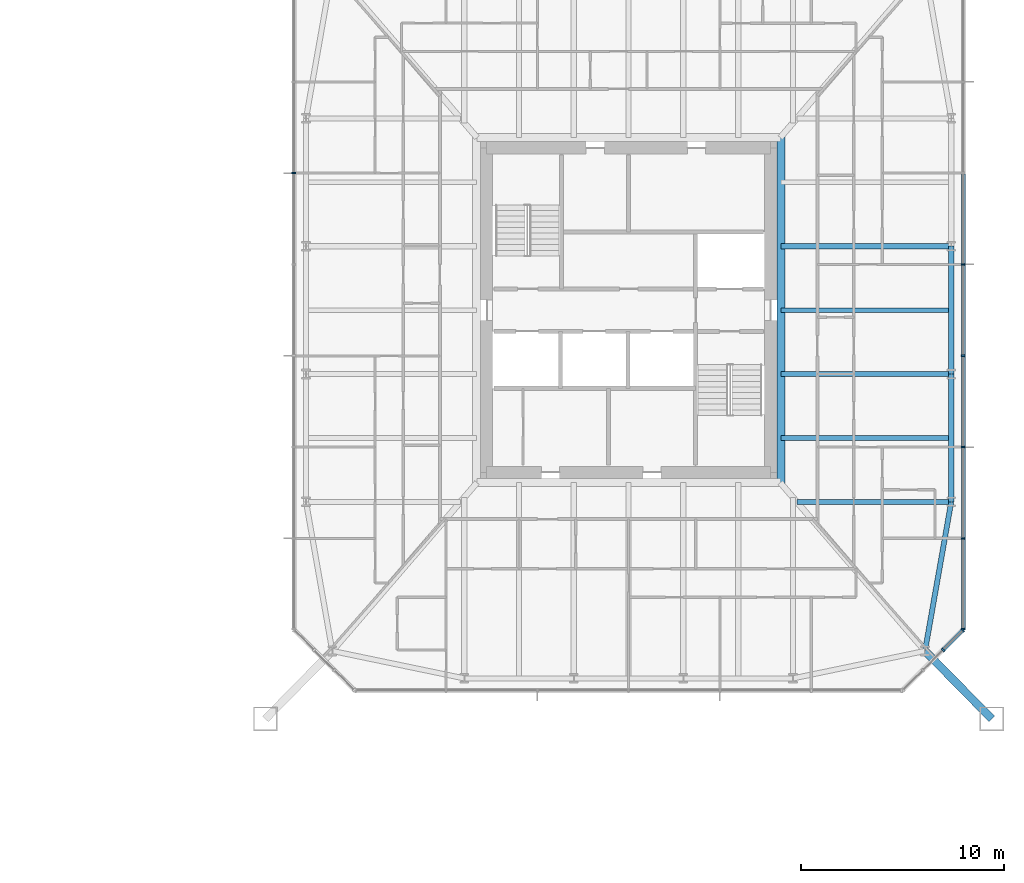
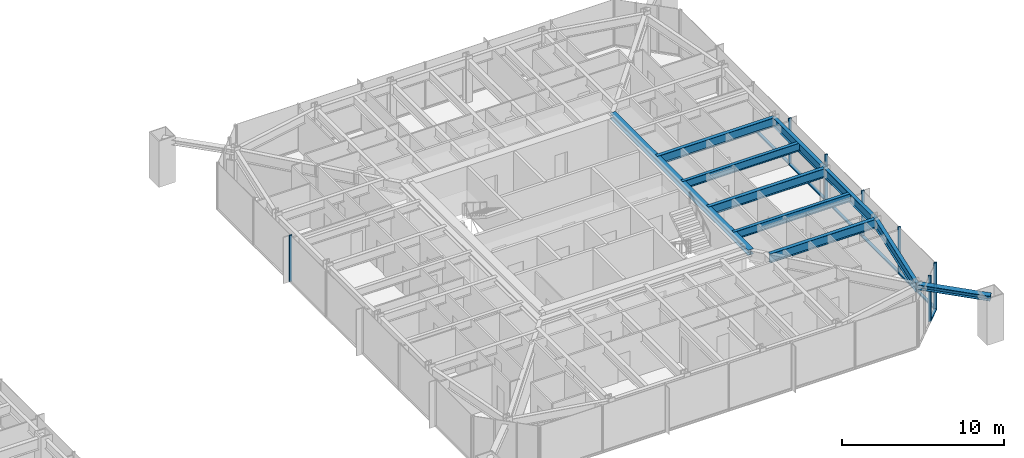
# One storey, part 9 of 26: 15 members, 9 beams, 3 elements without a shape of their own.
"""IFC4 building model written with IfcOpenShell, lengths in metres."""

import ifcopenshell
import ifcopenshell.guid

model = None  # the IFC model being written
_history = None  # IfcOwnerHistory: only IFC2X3 demands one
_inside = {}  # id of a spatial element -> (the spatial element, [elements in it])
_under = {}  # id of a project, library or spatial element -> (it, [spatial elements below it])
_declared = {}  # id of a project -> (the project, [libraries it declares])
_typed = {}  # id of a type object -> (the type object, [elements of that type])
_made_of = {}  # id of a material, layer set ... -> (it, [elements and type objects made of it])


def new_model(schema):
    """Start an empty IFC model of exactly this schema.

    Asked for "IFC4X3", IfcOpenShell would pick the latest addendum, in which some entities
    have other attributes; the version numbers below select the first issue.
    IFC2X3 requires an IfcOwnerHistory on every rooted entity: one is made here for all.
    """
    global model, _history
    if schema == "IFC4X3":
        model = ifcopenshell.file(schema_version=(4, 3, 0, 0))
    else:
        model = ifcopenshell.file(schema=schema)
    _inside.clear()
    _under.clear()
    _declared.clear()
    _typed.clear()
    _made_of.clear()
    _history = None
    if model.schema == "IFC2X3":
        org = make("IfcOrganization", Name="unknown")
        user = make(
            "IfcPersonAndOrganization",
            ThePerson=make("IfcPerson", FamilyName="unknown"),
            TheOrganization=org,
        )
        app = make(
            "IfcApplication",
            ApplicationDeveloper=org,
            Version="unknown",
            ApplicationFullName="unknown",
            ApplicationIdentifier="unknown",
        )
        _history = make(
            "IfcOwnerHistory",
            OwningUser=user,
            OwningApplication=app,
            ChangeAction="ADDED",
            CreationDate=0,
        )
    return model


def make(cls, **values):
    """One entity of the class cls with the attributes given. An attribute that is None is left unset."""
    return model.create_entity(
        cls, **{name: value for name, value in values.items() if value is not None}
    )


def rooted(cls, **values):
    """An entity with a GlobalId (a new one), such as an element, a storey or a relation."""
    return make(cls, GlobalId=ifcopenshell.guid.new(), OwnerHistory=_history, **values)


def si_unit(unit_type, name, prefix=None):
    """IfcSIUnit, for example si_unit("LENGTHUNIT", "METRE", prefix="MILLI")."""
    return make("IfcSIUnit", UnitType=unit_type, Prefix=prefix, Name=name)


def assignment(units):
    """IfcUnitAssignment: the units of a project."""
    return None if units is None else make("IfcUnitAssignment", Units=units)


def point(xyz):
    """IfcCartesianPoint."""
    return None if xyz is None else make("IfcCartesianPoint", Coordinates=xyz)


def direction(xyz):
    """IfcDirection."""
    return None if xyz is None else make("IfcDirection", DirectionRatios=xyz)


def frame(location, z_axis=None, x_axis=None):
    """IfcAxis2Placement3D, a coordinate frame: its origin and axes. An axis left out is left unset."""
    return make(
        "IfcAxis2Placement3D",
        Location=point(location),
        Axis=direction(z_axis),
        RefDirection=direction(x_axis),
    )


def frame_2d(location, x_axis=None):
    """IfcAxis2Placement2D, a coordinate frame in the plane: its origin and x axis."""
    return make(
        "IfcAxis2Placement2D", Location=point(location), RefDirection=direction(x_axis)
    )


def origin():
    """The frame at (0, 0, 0) with its axes left unset."""
    return frame((0.0, 0.0, 0.0))


def origin_2d():
    """The frame at (0, 0) in the plane with its x axis left unset."""
    return frame_2d((0.0, 0.0))


def place(relative_to, where):
    """IfcLocalPlacement: puts the frame where relative to a parent placement (None: the world)."""
    return make(
        "IfcLocalPlacement", PlacementRelTo=relative_to, RelativePlacement=where
    )


def context(
    kind, dimensions, precision=None, world=None, true_north=None, identifier=None
):
    """IfcGeometricRepresentationContext, for example the 3D "Model" context."""
    return make(
        "IfcGeometricRepresentationContext",
        ContextIdentifier=identifier,
        ContextType=kind,
        CoordinateSpaceDimension=dimensions,
        Precision=precision,
        WorldCoordinateSystem=world,
        TrueNorth=true_north,
    )


def subcontext(parent, identifier, kind, view, scale=None):
    """IfcGeometricRepresentationSubContext, for example "Body" below "Model"."""
    return make(
        "IfcGeometricRepresentationSubContext",
        ContextIdentifier=identifier,
        ContextType=kind,
        ParentContext=parent,
        TargetScale=scale,
        TargetView=view,
    )


def project(units=None, contexts=None):
    """IfcProject with its units and contexts."""
    return rooted(
        "IfcProject",
        Name="project",
        RepresentationContexts=contexts,
        UnitsInContext=assignment(units),
    )


def spatial(cls, under=None, at=None, **own):
    """A site, building, storey or space (cls), placed at a placement, below another one or the project."""
    s = rooted(cls, ObjectPlacement=at, **own)
    if under is not None:
        _under.setdefault(under.id(), (under, []))[1].append(s)
    return s


def profile(cls, at=None, kind="AREA", **sizes):
    """A parametric profile (cls). Its sizes go by their IFC names, for example OverallWidth=200.0."""
    return make(cls, ProfileType=kind, Position=at, **sizes)


def rectangle(**sizes):
    """IfcRectangleProfileDef."""
    return profile("IfcRectangleProfileDef", **sizes)


def i_section(**sizes):
    """IfcIShapeProfileDef."""
    return profile("IfcIShapeProfileDef", **sizes)


def extrude(swept, where, along, depth):
    """IfcExtrudedAreaSolid: the profile swept, set in the frame where, extruded along a direction by depth."""
    return make(
        "IfcExtrudedAreaSolid",
        SweptArea=swept,
        Position=where,
        ExtrudedDirection=direction(along),
        Depth=depth,
    )


def shape(context_of_items, identifier, shape_type, items):
    """IfcShapeRepresentation: the items that make up one representation, for example the "Body"."""
    return make(
        "IfcShapeRepresentation",
        ContextOfItems=context_of_items,
        RepresentationIdentifier=identifier,
        RepresentationType=shape_type,
        Items=items,
    )


def material(Name=None, Category=None):
    """IfcMaterial."""
    return make("IfcMaterial", Name=Name, Category=Category)


def material_profile(
    of_material, cross_section, Name=None, Category=None, Priority=None
):
    """IfcMaterialProfile: a cross section and its material."""
    return make(
        "IfcMaterialProfile",
        Name=Name,
        Material=of_material,
        Profile=cross_section,
        Priority=Priority,
        Category=Category,
    )


def profile_set(profiles, Name=None, composite=None):
    """IfcMaterialProfileSet."""
    return make(
        "IfcMaterialProfileSet",
        Name=Name,
        MaterialProfiles=profiles,
        CompositeProfile=composite,
    )


def made_of(thing, what):
    """Note that an element or type object is made of a material, layer set ...; save() writes the relation."""
    if what is not None:
        _made_of.setdefault(what.id(), (what, []))[1].append(thing)
    return thing


def type_object(cls, material=None, **own):
    """A type object (cls), such as IfcWallType, which elements share."""
    return made_of(rooted(cls, **own), material)


def element(
    cls,
    number,
    at=None,
    inside=None,
    cuts=None,
    type_object=None,
    material=None,
    context=None,
    identifier="Body",
    shape_type=None,
    held_by="IfcProductDefinitionShape",
    body=None,
    shapes=None,
    **own,
):
    """One element of the class cls, such as IfcWall. Its Tag is "e" and its number.

    at: its placement. inside: the storey or other place that contains it. cuts: it is an
    opening in that element (IfcRelVoidsElement). A single representation is given by context,
    identifier, shape_type and body (its items); several are given by shapes. held_by: the class
    of the entity that holds the representations. save() writes the other relations.
    """
    e = rooted(cls, Tag="e%d" % number, ObjectPlacement=at, **own)
    if body is not None:
        shapes = [shape(context, identifier, shape_type, body)]
    if shapes is not None:
        e.Representation = make(held_by, Representations=shapes)
    if inside is not None:
        _inside.setdefault(inside.id(), (inside, []))[1].append(e)
    if cuts is not None:
        rooted(
            "IfcRelVoidsElement", RelatingBuildingElement=cuts, RelatedOpeningElement=e
        )
    if type_object is not None:
        _typed.setdefault(type_object.id(), (type_object, []))[1].append(e)
    return made_of(e, material)


def aggregate(whole, parts):
    """IfcRelAggregates: a whole, such as a stair, and the parts it consists of."""
    return rooted("IfcRelAggregates", RelatingObject=whole, RelatedObjects=parts)


def save(model, path):
    """Write the relations noted so far, then the file.

    IfcRelAggregates (storeys below a building ...), IfcRelContainedInSpatialStructure (elements
    in a storey), IfcRelDefinesByType, IfcRelAssociatesMaterial and IfcRelDeclares: one each for
    every whole, place, type object, material and project.
    """
    for whole, parts in _under.values():
        aggregate(whole, parts)
    for where, things in _inside.values():
        rooted(
            "IfcRelContainedInSpatialStructure",
            RelatedElements=things,
            RelatingStructure=where,
        )
    for kind, things in _typed.values():
        rooted("IfcRelDefinesByType", RelatedObjects=things, RelatingType=kind)
    for what, things in _made_of.values():
        rooted("IfcRelAssociatesMaterial", RelatedObjects=things, RelatingMaterial=what)
    for by, libraries in _declared.values():
        rooted("IfcRelDeclares", RelatingContext=by, RelatedDefinitions=libraries)
    model.write(path)


model = new_model("IFC4")

# Units and contexts
model_context = context("Model", 3, precision=1e-05, world=origin(), true_north=direction((0.0, 1.0)))
body_context = subcontext(model_context, "Body", "Model", "MODEL_VIEW")
ifc_project = project(units=[si_unit("LENGTHUNIT", "METRE"), si_unit("AREAUNIT", "SQUARE_METRE"), si_unit("VOLUMEUNIT", "CUBIC_METRE"), si_unit("PLANEANGLEUNIT", "RADIAN"), si_unit("MASSUNIT", "GRAM", prefix="KILO")], contexts=[model_context])

# Site, building, storey
site_placement = place(None, origin())
site = spatial("IfcSite", under=ifc_project, at=site_placement, CompositionType="ELEMENT")
building_placement = place(site_placement, origin())
building = spatial("IfcBuilding", under=site, at=building_placement, Name="Iwan Alto Co-Living Towers", CompositionType="ELEMENT")
storey_placement = place(building_placement, frame((0.0, 0.0, 39.5)))
storey = spatial("IfcBuildingStorey", under=building, at=storey_placement, Name="L10", CompositionType="ELEMENT", Elevation=39.5)

# Curtain wall, members
ifc_material_1 = material(Name="Bronze aluminium unitised frame", Category="aluminium")
curtain_wall_type_1 = type_object("IfcCurtainWallType", Name="CURTAIN WALL CW-C", PredefinedType="NOTDEFINED", material=ifc_material_1)
curtain_wall_1_placement = place(storey_placement, origin())
curtain_wall_1 = element("IfcCurtainWall", 1, at=curtain_wall_1_placement, inside=storey, type_object=curtain_wall_type_1, Name="T2 curtain wall E L10", PredefinedType="NOTDEFINED")
ifc_material_2 = material(Name="Aluminium 6063-T6 bronze anodised", Category="aluminium")
ifc_material_profile_1 = material_profile(ifc_material_2, rectangle(XDim=0.199951171875, YDim=0.080078125, at=origin_2d()), Name="AL 80X200")
ifc_profile_set_1 = profile_set([ifc_material_profile_1], Name="Aluminium 6063-T6 bronze anodised")
member_type_1 = type_object("IfcMemberType", Name="CW-C MULLION 80X200", PredefinedType="MULLION", material=ifc_profile_set_1)
member_1_placement = place(storey_placement, frame((79.5, -15.7099609375, 0.0), z_axis=(0.0, 0.0, 1.0), x_axis=(-1.0, 0.0, 0.0)))
member_1 = element("IfcMember", 2, at=member_1_placement, type_object=member_type_1, Name="CW-C mullion 1", PredefinedType="MULLION", context=body_context, shape_type="SweptSolid", body=[
    extrude(rectangle(XDim=0.199951171875, YDim=0.080078125, at=origin_2d()), origin(), (0.0, 0.0, 1.0), 3.5),
])
member_2_placement = place(storey_placement, frame((79.5, -11.25, 0.0), z_axis=(0.0, 0.0, 1.0), x_axis=(-1.0, 0.0, 0.0)))
member_2 = element("IfcMember", 3, at=member_2_placement, type_object=member_type_1, Name="CW-C mullion 2", PredefinedType="MULLION", context=body_context, shape_type="SweptSolid", body=[
    extrude(rectangle(XDim=0.199951171875, YDim=0.080078125, at=origin_2d()), origin(), (0.0, 0.0, 1.0), 3.5),
])
member_3_placement = place(storey_placement, frame((79.5, -6.75, 0.0), z_axis=(0.0, 0.0, 1.0), x_axis=(-1.0, 0.0, 0.0)))
member_3 = element("IfcMember", 4, at=member_3_placement, type_object=member_type_1, Name="CW-C mullion 3", PredefinedType="MULLION", context=body_context, shape_type="SweptSolid", body=[
    extrude(rectangle(XDim=0.199951171875, YDim=0.080078125, at=origin_2d()), origin(), (0.0, 0.0, 1.0), 3.5),
])
member_4_placement = place(storey_placement, frame((79.5, -2.25, 0.0), z_axis=(0.0, 0.0, 1.0), x_axis=(-1.0, 0.0, 0.0)))
member_4 = element("IfcMember", 5, at=member_4_placement, type_object=member_type_1, Name="CW-C mullion 4", PredefinedType="MULLION", context=body_context, shape_type="SweptSolid", body=[
    extrude(rectangle(XDim=0.199951171875, YDim=0.080078125, at=origin_2d()), origin(), (0.0, 0.0, 1.0), 3.5),
])
member_5_placement = place(storey_placement, frame((79.5, 2.25, 0.0), z_axis=(0.0, 0.0, 1.0), x_axis=(-1.0, 0.0, 0.0)))
member_5 = element("IfcMember", 6, at=member_5_placement, type_object=member_type_1, Name="CW-C mullion 5", PredefinedType="MULLION", context=body_context, shape_type="SweptSolid", body=[
    extrude(rectangle(XDim=0.199951171875, YDim=0.080078125, at=origin_2d()), origin(), (0.0, 0.0, 1.0), 3.5),
])

# Curtain wall, member
curtain_wall_2_placement = place(storey_placement, origin())
curtain_wall_2 = element("IfcCurtainWall", 7, at=curtain_wall_2_placement, inside=storey, type_object=curtain_wall_type_1, Name="T2 curtain wall W L10", PredefinedType="NOTDEFINED")
member_6_placement = place(storey_placement, frame((46.5, 6.75, 0.0), z_axis=(0.0, 0.0, 1.0), x_axis=(1.0, 0.0, 0.0)))
member_6 = element("IfcMember", 8, at=member_6_placement, type_object=member_type_1, Name="CW-C mullion 3", PredefinedType="MULLION", context=body_context, shape_type="SweptSolid", body=[
    extrude(rectangle(XDim=0.199951171875, YDim=0.080078125, at=origin_2d()), origin(), (0.0, 0.0, 1.0), 3.5),
])
aggregate(curtain_wall_2, [member_6])

# Member
ifc_material_3 = material(Name="Aluminium 6063-T6 bronze anodised", Category="aluminium")
ifc_material_profile_2 = material_profile(ifc_material_3, rectangle(XDim=0.199951171875, YDim=0.10009765625, at=origin_2d()), Name="AL 200X100")
ifc_profile_set_2 = profile_set([ifc_material_profile_2], Name="Aluminium 6063-T6 bronze anodised")
member_type_2 = type_object("IfcMemberType", Name="CW-C TRANSOM 200X100", PredefinedType="USERDEFINED", material=ifc_profile_set_2)
member_7_placement = place(storey_placement, frame((79.5, -15.669921875, 0.050048828125), z_axis=(0.0, 1.0, 0.0), x_axis=(-1.0, 0.0, 0.0)))
member_7 = element("IfcMember", 9, at=member_7_placement, type_object=member_type_2, Name="CW-C transom 1.1", ObjectType="TRANSOM", PredefinedType="USERDEFINED", context=body_context, shape_type="SweptSolid", body=[
    extrude(rectangle(XDim=0.199951171875, YDim=0.10009765625, at=origin_2d()), origin(), (0.0, 0.0, 1.0), 4.3798828125),
])

member_8_placement = place(storey_placement, frame((79.5, -11.2099609375, 0.050048828125), z_axis=(0.0, 1.0, 0.0), x_axis=(-1.0, 0.0, 0.0)))
member_8 = element("IfcMember", 10, at=member_8_placement, type_object=member_type_2, Name="CW-C transom 2.1", ObjectType="TRANSOM", PredefinedType="USERDEFINED", context=body_context, shape_type="SweptSolid", body=[
    extrude(rectangle(XDim=0.199951171875, YDim=0.10009765625, at=origin_2d()), origin(), (0.0, 0.0, 1.0), 4.419921875),
])

member_9_placement = place(storey_placement, frame((79.5, -6.7099609375, 0.050048828125), z_axis=(0.0, 1.0, 0.0), x_axis=(-1.0, 0.0, 0.0)))
member_9 = element("IfcMember", 11, at=member_9_placement, type_object=member_type_2, Name="CW-C transom 3.1", ObjectType="TRANSOM", PredefinedType="USERDEFINED", context=body_context, shape_type="SweptSolid", body=[
    extrude(rectangle(XDim=0.199951171875, YDim=0.10009765625, at=origin_2d()), origin(), (0.0, 0.0, 1.0), 4.419921875),
])

member_10_placement = place(storey_placement, frame((79.5, -2.2099609375, 0.050048828125), z_axis=(0.0, 1.0, 0.0), x_axis=(-1.0, 0.0, 0.0)))
member_10 = element("IfcMember", 12, at=member_10_placement, type_object=member_type_2, Name="CW-C transom 4.1", ObjectType="TRANSOM", PredefinedType="USERDEFINED", context=body_context, shape_type="SweptSolid", body=[
    extrude(rectangle(XDim=0.199951171875, YDim=0.10009765625, at=origin_2d()), origin(), (0.0, 0.0, 1.0), 4.419921875),
])

member_11_placement = place(storey_placement, frame((79.5, 2.2900390625, 0.050048828125), z_axis=(0.0, 1.0, 0.0), x_axis=(-1.0, 0.0, 0.0)))
member_11 = element("IfcMember", 13, at=member_11_placement, type_object=member_type_2, Name="CW-C transom 5.1", ObjectType="TRANSOM", PredefinedType="USERDEFINED", context=body_context, shape_type="SweptSolid", body=[
    extrude(rectangle(XDim=0.199951171875, YDim=0.10009765625, at=origin_2d()), origin(), (0.0, 0.0, 1.0), 4.419921875),
])

aggregate(curtain_wall_1, [member_1, member_2, member_3, member_4, member_5, member_7, member_8, member_9, member_10, member_11])

# Curtain wall, members
ifc_material_4 = material(Name="Bronze aluminium unitised frame", Category="aluminium")
curtain_wall_type_2 = type_object("IfcCurtainWallType", Name="CURTAIN WALL CW-D", PredefinedType="NOTDEFINED", material=ifc_material_4)
curtain_wall_3_placement = place(storey_placement, origin())
curtain_wall_3 = element("IfcCurtainWall", 14, at=curtain_wall_3_placement, inside=storey, type_object=curtain_wall_type_2, Name="T2 chamfer curtain wall SE L10", PredefinedType="NOTDEFINED")
ifc_material_5 = material(Name="Aluminium 6063-T6 bronze anodised", Category="aluminium")
ifc_material_profile_3 = material_profile(ifc_material_5, rectangle(XDim=0.199951171875, YDim=0.080078125, at=origin_2d()), Name="AL 80X200")
ifc_profile_set_3 = profile_set([ifc_material_profile_3], Name="Aluminium 6063-T6 bronze anodised")
member_type_3 = type_object("IfcMemberType", Name="CW-D MULLION 80X200", PredefinedType="MULLION", material=ifc_profile_set_3)
member_12_placement = place(storey_placement, frame((78.5, -16.75, 0.0), z_axis=(0.0, 0.0, 1.0), x_axis=(-0.707106781187, 0.707106781187, 0.0)))
member_12 = element("IfcMember", 15, at=member_12_placement, type_object=member_type_3, Name="CW-D mullion 3", PredefinedType="MULLION", context=body_context, shape_type="SweptSolid", body=[
    extrude(rectangle(XDim=0.199951171875, YDim=0.080078125, at=origin_2d()), origin(), (0.0, 0.0, 1.0), 3.5),
])
member_13_placement = place(storey_placement, frame((79.4716796875, -15.7783203125, 0.0), z_axis=(0.0, 0.0, 1.0), x_axis=(-0.707106781187, 0.707106781187, 0.0)))
member_13 = element("IfcMember", 16, at=member_13_placement, type_object=member_type_3, Name="CW-D mullion 4", PredefinedType="MULLION", context=body_context, shape_type="SweptSolid", body=[
    extrude(rectangle(XDim=0.199951171875, YDim=0.080078125, at=origin_2d()), origin(), (0.0, 0.0, 1.0), 3.5),
])
ifc_material_6 = material(Name="Aluminium 6063-T6 bronze anodised", Category="aluminium")
ifc_material_profile_4 = material_profile(ifc_material_6, rectangle(XDim=0.199951171875, YDim=0.10009765625, at=origin_2d()), Name="AL 200X100")
ifc_profile_set_4 = profile_set([ifc_material_profile_4], Name="Aluminium 6063-T6 bronze anodised")
member_type_4 = type_object("IfcMemberType", Name="CW-D TRANSOM 200X100", PredefinedType="USERDEFINED", material=ifc_profile_set_4)
member_14_placement = place(storey_placement, frame((78.5283203125, -16.7216796875, 0.050048828125), z_axis=(0.707106781187, 0.707106781187, 0.0), x_axis=(-0.707106781187, 0.707106781187, 0.0)))
member_14 = element("IfcMember", 17, at=member_14_placement, type_object=member_type_4, Name="CW-D transom 3.1", ObjectType="TRANSOM", PredefinedType="USERDEFINED", context=body_context, shape_type="SweptSolid", body=[
    extrude(rectangle(XDim=0.199951171875, YDim=0.10009765625, at=origin_2d()), origin(), (0.0, 0.0, 1.0), 1.2939453125),
])
aggregate(curtain_wall_3, [member_12, member_13, member_14])

# Beams
ifc_material_7 = material(Name="Steel ASTM A992 Gr 50", Category="steel")
ifc_material_profile_5 = material_profile(ifc_material_7, i_section(OverallWidth=0.40380859375, OverallDepth=0.406494140625, WebThickness=0.027099609375, FlangeThickness=0.043701171875, at=origin_2d()), Name="W14X233")
ifc_profile_set_5 = profile_set([ifc_material_profile_5], Name="Steel ASTM A992 Gr 50")
beam_type_1 = type_object("IfcBeamType", Name="T2 CORE LEDGER BEAM W14X233", PredefinedType="BEAM", material=ifc_profile_set_5)
beam_1_placement = place(storey_placement, frame((70.501953125, -8.534912109375, 3.06689453125), z_axis=(0.0, 1.0, 0.0), x_axis=(-1.0, 0.0, 0.0)))
element("IfcBeam", 18, at=beam_1_placement, inside=storey, type_object=beam_type_1, Name="T2 core ledger beam E L11", PredefinedType="BEAM", context=body_context, shape_type="SweptSolid", body=[
    extrude(i_section(OverallWidth=0.40380859375, OverallDepth=0.406494140625, WebThickness=0.027099609375, FlangeThickness=0.043701171875, at=origin_2d()), origin(), (0.0, 0.0, 1.0), 17.06982421875),
])
ifc_material_8 = material(Name="Steel ASTM A992 Gr 50", Category="steel")
ifc_material_profile_6 = material_profile(ifc_material_8, i_section(OverallWidth=0.25390625, OverallDepth=0.683349609375, WebThickness=0.012451171875, FlangeThickness=0.018798828125, at=origin_2d()), Name="W27X94")
ifc_profile_set_6 = profile_set([ifc_material_profile_6], Name="Steel ASTM A992 Gr 50")
beam_type_2 = type_object("IfcBeamType", Name="T2 EDGE BEAM W27X94", PredefinedType="BEAM", material=ifc_profile_set_6)
beam_2_placement = place(storey_placement, frame((77.606201171875, -16.797119140625, 2.928466796875), z_axis=(0.173413807283, 0.98484905008, 0.0), x_axis=(-0.98484905008, 0.173413807283, 0.0)))
element("IfcBeam", 19, at=beam_2_placement, inside=storey, type_object=beam_type_2, Name="T2 edge beam CSE L11", PredefinedType="BEAM", context=body_context, shape_type="SweptSolid", body=[
    extrude(i_section(OverallWidth=0.25390625, OverallDepth=0.683349609375, WebThickness=0.012451171875, FlangeThickness=0.018798828125, at=origin_2d()), origin(), (0.0, 0.0, 1.0), 7.460205078125),
])
beam_3_placement = place(storey_placement, frame((78.89990234375, -9.449951171875, 2.928466796875), z_axis=(0.0, 1.0, 0.0), x_axis=(-1.0, 0.0, 0.0)))
element("IfcBeam", 20, at=beam_3_placement, inside=storey, type_object=beam_type_2, Name="T2 edge beam E1 L11", PredefinedType="BEAM", context=body_context, shape_type="SweptSolid", body=[
    extrude(i_section(OverallWidth=0.25390625, OverallDepth=0.683349609375, WebThickness=0.012451171875, FlangeThickness=0.018798828125, at=origin_2d()), origin(), (0.0, 0.0, 1.0), 6.300048828125),
])
beam_4_placement = place(storey_placement, frame((78.89990234375, -3.14990234375, 2.928466796875), z_axis=(0.0, 1.0, 0.0), x_axis=(-1.0, 0.0, 0.0)))
element("IfcBeam", 21, at=beam_4_placement, inside=storey, type_object=beam_type_2, Name="T2 edge beam E2 L11", PredefinedType="BEAM", context=body_context, shape_type="SweptSolid", body=[
    extrude(i_section(OverallWidth=0.25390625, OverallDepth=0.683349609375, WebThickness=0.012451171875, FlangeThickness=0.018798828125, at=origin_2d()), origin(), (0.0, 0.0, 1.0), 6.2998046875),
])

# Member
ifc_material_9 = material(Name="Steel ASTM A992 Gr 50", Category="steel")
ifc_material_profile_7 = material_profile(ifc_material_9, i_section(OverallWidth=0.393798828125, OverallDepth=0.3759765625, WebThickness=0.017333984375, FlangeThickness=0.027587890625, at=origin_2d()), Name="W14X145")
ifc_profile_set_7 = profile_set([ifc_material_profile_7], Name="Steel ASTM A992 Gr 50")
member_type_5 = type_object("IfcMemberType", Name="T2 MEGA COLUMN FLOOR TIE W14X145", PredefinedType="STRUT", material=ifc_profile_set_7)
member_15_placement = place(storey_placement, frame((80.89990234375, -20.14990234375, 3.08203125), z_axis=(-0.700793469544, 0.71336422187, 0.0), x_axis=(-0.71336422187, -0.700793469544, 0.0)))
element("IfcMember", 22, at=member_15_placement, inside=storey, type_object=member_type_5, Name="T2 mega column floor tie SE L11", PredefinedType="STRUT", context=body_context, shape_type="SweptSolid", body=[
    extrude(i_section(OverallWidth=0.393798828125, OverallDepth=0.3759765625, WebThickness=0.017333984375, FlangeThickness=0.027587890625, at=origin_2d()), origin(), (0.0, 0.0, 1.0), 4.699951171875),
])

# Beams
ifc_material_10 = material(Name="Steel ASTM A992 Gr 50", Category="steel")
ifc_material_profile_8 = material_profile(ifc_material_10, i_section(OverallWidth=0.25390625, OverallDepth=0.683349609375, WebThickness=0.012451171875, FlangeThickness=0.018798828125, at=origin_2d()), Name="W27X94")
ifc_profile_set_8 = profile_set([ifc_material_profile_8], Name="Steel ASTM A992 Gr 50")
beam_type_3 = type_object("IfcBeamType", Name="T2 RADIAL BEAM W27X94", PredefinedType="BEAM", material=ifc_profile_set_8)
beam_5_placement = place(storey_placement, frame((78.89990234375, -9.449951171875, 2.928466796875), z_axis=(-1.0, 0.0, 0.0), x_axis=(0.0, -1.0, 0.0)))
element("IfcBeam", 23, at=beam_5_placement, inside=storey, type_object=beam_type_3, Name="T2 radial beam E1 L11", PredefinedType="BEAM", context=body_context, shape_type="SweptSolid", body=[
    extrude(i_section(OverallWidth=0.25390625, OverallDepth=0.683349609375, WebThickness=0.012451171875, FlangeThickness=0.018798828125, at=origin_2d()), origin(), (0.0, 0.0, 1.0), 7.611083984375),
])
for number, where, z_axis, x_axis, name in (
    (24, (78.89990234375, -3.14990234375, 2.928466796875), (-1.0, 0.0, 0.0), (0.0, -1.0, 0.0), "T2 radial beam E2 L11"),
    (25, (78.89990234375, 3.14990234375, 2.928466796875), (-1.0, 0.0, 0.0), (0.0, -1.0, 0.0), "T2 radial beam E3 L11"),
):
    element("IfcBeam", number, at=place(storey_placement, frame(where, z_axis=z_axis, x_axis=x_axis)), inside=storey, type_object=beam_type_3, Name=name, PredefinedType="BEAM", context=body_context, shape_type="SweptSolid", body=[
        extrude(i_section(OverallWidth=0.25390625, OverallDepth=0.683349609375, WebThickness=0.012451171875, FlangeThickness=0.018798828125, at=origin_2d()), origin(), (0.0, 0.0, 1.0), 8.39794921875),
    ])
ifc_material_11 = material(Name="Steel ASTM A992 Gr 50", Category="steel")
ifc_material_profile_9 = material_profile(ifc_material_11, i_section(OverallWidth=0.228271484375, OverallDepth=0.607177734375, WebThickness=0.01123046875, FlangeThickness=0.017333984375, at=origin_2d()), Name="W24X76")
ifc_profile_set_9 = profile_set([ifc_material_profile_9], Name="Steel ASTM A992 Gr 50")
beam_type_4 = type_object("IfcBeamType", Name="T2 SECONDARY BEAM W24X76", PredefinedType="JOIST", material=ifc_profile_set_9)
for number, where, z_axis, x_axis, name in (
    (26, (78.89990234375, -6.300048828125, 2.966552734375), (-1.0, 0.0, 0.0), (0.0, -1.0, 0.0), "T2 secondary beam E1 L11"),
    (27, (78.89990234375, 0.0, 2.966552734375), (-1.0, 0.0, 0.0), (0.0, -1.0, 0.0), "T2 secondary beam E2 L11"),
):
    element("IfcBeam", number, at=place(storey_placement, frame(where, z_axis=z_axis, x_axis=x_axis)), inside=storey, type_object=beam_type_4, Name=name, PredefinedType="JOIST", context=body_context, shape_type="SweptSolid", body=[
        extrude(i_section(OverallWidth=0.228271484375, OverallDepth=0.607177734375, WebThickness=0.01123046875, FlangeThickness=0.017333984375, at=origin_2d()), origin(), (0.0, 0.0, 1.0), 8.39794921875),
    ])

save(model, "model.ifc")
